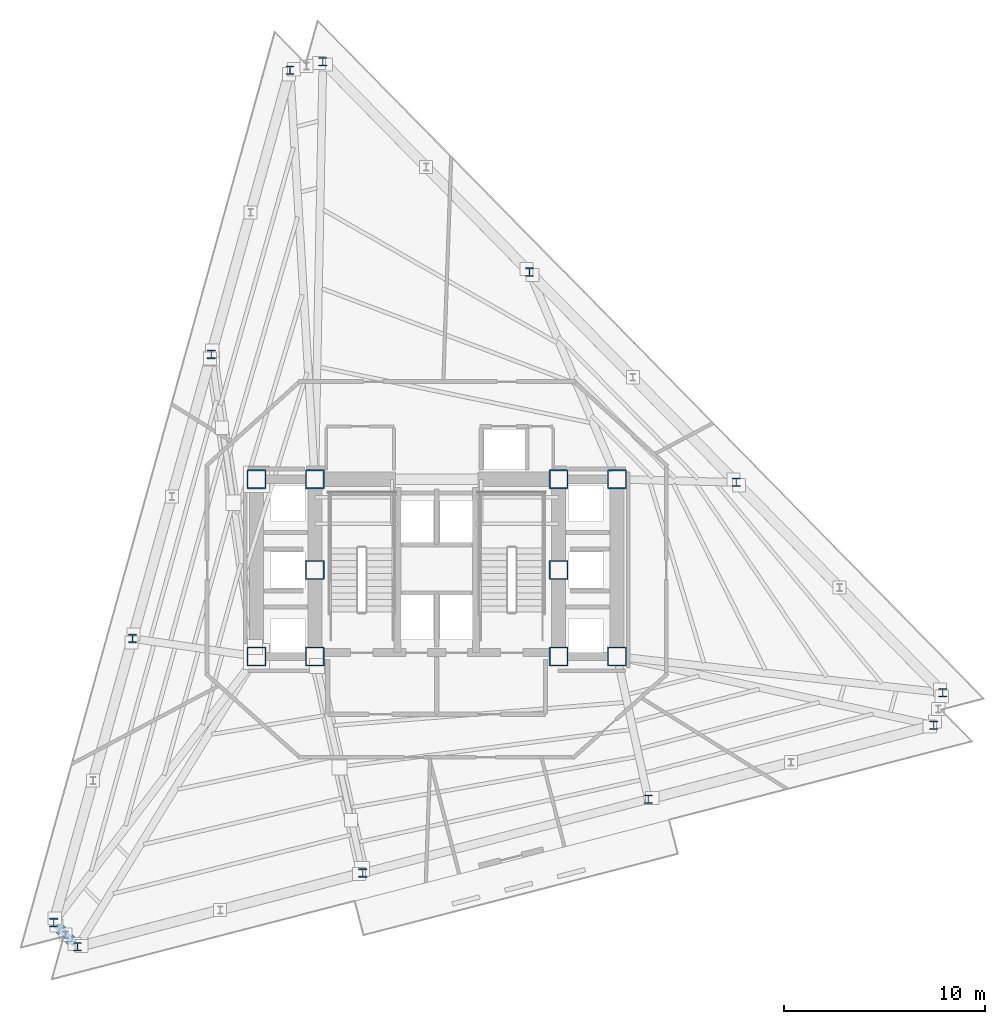
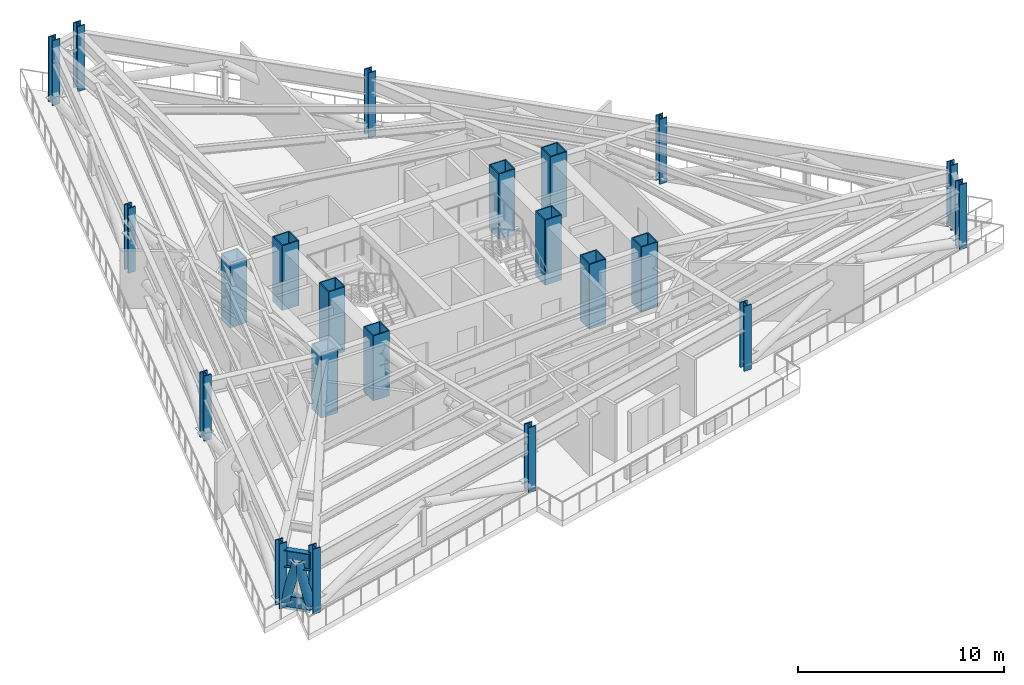
# One storey, part 1 of 11: 22 columns, 3 members, 1 beam.
"""IFC4 building model written with IfcOpenShell, lengths in metres."""

from ifc_helpers import new_model, si_unit, direction, frame, origin, origin_2d, place, context, subcontext, project, spatial, hollow_rectangle, hollow_circle, i_section, extrude, material, material_profile, profile_set, type_object, element, save


model = new_model("IFC4")

# Units and contexts
model_context = context("Model", 3, precision=1e-05, world=origin(), true_north=direction((0.0, 1.0)))
body_context = subcontext(model_context, "Body", "Model", "MODEL_VIEW")
ifc_project = project(units=[si_unit("LENGTHUNIT", "METRE"), si_unit("AREAUNIT", "SQUARE_METRE"), si_unit("VOLUMEUNIT", "CUBIC_METRE"), si_unit("PLANEANGLEUNIT", "RADIAN"), si_unit("MASSUNIT", "GRAM", prefix="KILO")], contexts=[model_context])

# Site, building, storey
site_placement = place(None, origin())
site = spatial("IfcSite", under=ifc_project, at=site_placement, CompositionType="ELEMENT")
building_placement = place(site_placement, origin())
building = spatial("IfcBuilding", under=site, at=building_placement, Name="Rocaltana Carrier Exchange", CompositionType="ELEMENT")
storey_placement = place(building_placement, frame((0.0, 0.0, 100.800048828125)))
storey = spatial("IfcBuildingStorey", under=building, at=storey_placement, Name="L31", CompositionType="ELEMENT", Elevation=100.800048828125)

# Columns
ifc_material_1 = material(Name="Steel S460", Category="steel")
ifc_material_profile_1 = material_profile(ifc_material_1, hollow_rectangle(XDim=0.949951171875, YDim=0.949951171875, WallThickness=0.06005859375, InnerFilletRadius=0.02001953125, OuterFilletRadius=0.0400390625, at=origin_2d()), Name="BOX950X950X60")
ifc_profile_set_1 = profile_set([ifc_material_profile_1], Name="Steel S460")
column_type_1 = type_object("IfcColumnType", Name="Core Mega-Column BOX950", PredefinedType="COLUMN", material=ifc_profile_set_1)
for number, where, z_axis, x_axis, name in (
    (1, (-6.050048828125, 4.5, 0.0), (0.0, 0.0, 1.0), (1.0, 0.0, 0.0), "L31 Core Mega-Column MC1"),
    (2, (6.050048828125, 4.5, 0.0), (0.0, 0.0, 1.0), (1.0, 0.0, 0.0), "L31 Core Mega-Column MC2"),
    (3, (-6.050048828125, 0.0, 0.0), (0.0, 0.0, 1.0), (1.0, 0.0, 0.0), "L31 Core Mega-Column MC3"),
    (4, (6.050048828125, 0.0, 0.0), (0.0, 0.0, 1.0), (1.0, 0.0, 0.0), "L31 Core Mega-Column MC4"),
    (5, (-6.050048828125, -4.300048828125, 0.0), (0.0, 0.0, 1.0), (1.0, 0.0, 0.0), "L31 Core Mega-Column MC5"),
    (6, (6.050048828125, -4.300048828125, 0.0), (0.0, 0.0, 1.0), (1.0, 0.0, 0.0), "L31 Core Mega-Column MC6"),
    (7, (-8.949951171875, 4.5, 0.0), (0.0, 0.0, 1.0), (1.0, 0.0, 0.0), "L31 West Core Column WC1"),
    (8, (-8.949951171875, -4.300048828125, 0.0), (0.0, 0.0, 1.0), (1.0, 0.0, 0.0), "L31 West Core Column WC2"),
    (9, (8.949951171875, 4.5, 0.0), (0.0, 0.0, 1.0), (1.0, 0.0, 0.0), "L31 East Core Column EC1"),
    (10, (8.949951171875, -4.300048828125, 0.0), (0.0, 0.0, 1.0), (1.0, 0.0, 0.0), "L31 East Core Column EC2"),
):
    element("IfcColumn", number, at=place(storey_placement, frame(where, z_axis=z_axis, x_axis=x_axis)), inside=storey, type_object=column_type_1, Name=name, PredefinedType="COLUMN", context=body_context, shape_type="SweptSolid", body=[
        extrude(hollow_rectangle(XDim=0.949951171875, YDim=0.949951171875, WallThickness=0.06005859375, InnerFilletRadius=0.02001953125, OuterFilletRadius=0.0400390625, at=origin_2d()), origin(), (0.0, 0.0, 1.0), 3.83984375),
    ])
ifc_material_2 = material(Name="Steel S460", Category="steel")
ifc_material_profile_2 = material_profile(ifc_material_2, i_section(OverallWidth=0.412109375, OverallDepth=0.43505859375, WebThickness=0.035888671875, FlangeThickness=0.057373046875, FilletRadius=0.02197265625, at=origin_2d()), Name="W14X311")
ifc_profile_set_2 = profile_set([ifc_material_profile_2], Name="Steel S460")
column_type_2 = type_object("IfcColumnType", Name="Perimeter Column W14X311", PredefinedType="COLUMN", material=ifc_profile_set_2)
for number, where, z_axis, x_axis, name in (
    (11, (25.11767578125, -6.091552734375, 0.0), (0.0, 0.0, 1.0), (1.0, 0.0, 0.0), "L31 Perimeter Column TC01"),
    (12, (14.861083984375, 4.345703125, 0.0), (0.0, 0.0, 1.0), (1.0, 0.0, 0.0), "L31 Perimeter Column TC02"),
    (13, (4.6044921875, 14.782958984375, 0.0), (0.0, 0.0, 1.0), (1.0, 0.0, 0.0), "L31 Perimeter Column TC03"),
    (14, (-5.652099609375, 25.22021484375, 0.0), (0.0, 0.0, 1.0), (1.0, 0.0, 0.0), "L31 Perimeter Column TC04"),
    (15, (-7.283447265625, 24.79833984375, 0.0), (0.0, 0.0, 1.0), (1.0, 0.0, 0.0), "L31 Perimeter Column TC05"),
    (16, (-11.194091796875, 10.697265625, 0.0), (0.0, 0.0, 1.0), (1.0, 0.0, 0.0), "L31 Perimeter Column TC06"),
    (17, (-15.1044921875, -3.40380859375, 0.0), (0.0, 0.0, 1.0), (1.0, 0.0, 0.0), "L31 Perimeter Column TC07"),
    (18, (-19.01513671875, -17.505126953125, 0.0), (0.0, 0.0, 1.0), (1.0, 0.0, 0.0), "L31 Perimeter Column TC08"),
    (19, (-17.834228515625, -18.706787109375, 0.0), (0.0, 0.0, 1.0), (1.0, 0.0, 0.0), "L31 Perimeter Column TC09"),
    (20, (-3.6669921875, -15.04296875, 0.0), (0.0, 0.0, 1.0), (1.0, 0.0, 0.0), "L31 Perimeter Column TC10"),
    (21, (10.500244140625, -11.37890625, 0.0), (0.0, 0.0, 1.0), (1.0, 0.0, 0.0), "L31 Perimeter Column TC11"),
    (22, (24.66748046875, -7.715087890625, 0.0), (0.0, 0.0, 1.0), (1.0, 0.0, 0.0), "L31 Perimeter Column TC12"),
):
    element("IfcColumn", number, at=place(storey_placement, frame(where, z_axis=z_axis, x_axis=x_axis)), inside=storey, type_object=column_type_2, Name=name, PredefinedType="COLUMN", context=body_context, shape_type="SweptSolid", body=[
        extrude(i_section(OverallWidth=0.412109375, OverallDepth=0.43505859375, WebThickness=0.035888671875, FlangeThickness=0.057373046875, FilletRadius=0.02197265625, at=origin_2d()), origin(), (0.0, 0.0, 1.0), 3.83984375),
    ])

# Members
ifc_material_3 = material(Name="Steel S460", Category="steel")
ifc_material_profile_3 = material_profile(ifc_material_3, i_section(OverallWidth=0.300048828125, OverallDepth=0.800048828125, WebThickness=0.017578125, FlangeThickness=0.032958984375, FilletRadius=0.030029296875, at=origin_2d()), Name="HEB800")
ifc_profile_set_3 = profile_set([ifc_material_profile_3], Name="Steel S460")
member_type_1 = type_object("IfcMemberType", Name="Belt Truss Chord HEB800", PredefinedType="CHORD", material=ifc_profile_set_3)
member_placement = place(storey_placement, frame((-18.87353515625, -17.649169921875, 0.349853515625), z_axis=(0.700884715116, -0.71327457274, 0.0), x_axis=(0.71327457274, 0.700884715116, 0.0)))
element("IfcMember", 23, at=member_placement, inside=storey, type_object=member_type_1, Name="L31 Belt Truss Bottom Chord 8", PredefinedType="CHORD", context=body_context, shape_type="SweptSolid", body=[
    extrude(i_section(OverallWidth=0.300048828125, OverallDepth=0.800048828125, WebThickness=0.017578125, FlangeThickness=0.032958984375, FilletRadius=0.030029296875, at=origin_2d()), origin(), (0.0, 0.0, 1.0), 1.28076171875),
])
ifc_material_4 = material(Name="Steel S460", Category="steel")
ifc_material_profile_4 = material_profile(ifc_material_4, hollow_circle(Radius=0.25390625, WallThickness=0.02001953125, at=origin_2d()), Name="CHS508X20")
ifc_profile_set_4 = profile_set([ifc_material_profile_4], Name="Steel S460")
member_type_2 = type_object("IfcMemberType", Name="Belt Truss Diagonal CHS508", PredefinedType="BRACE", material=ifc_profile_set_4)
for number, where, z_axis, x_axis, name in (
    (24, (-18.87353515625, -17.649169921875, 0.349853515625), (0.174663570707, -0.177799532532, 0.968442028879), (0.713369870844, 0.700787719193, 0.0), "L31 Belt Truss Diagonal 8A"),
    (25, (-18.4248046875, -18.10595703125, 2.837890625), (0.174755698471, -0.177796580663, -0.96842595058), (0.713179286912, 0.700981672171, 0.0), "L31 Belt Truss Diagonal 8B"),
):
    element("IfcMember", number, at=place(storey_placement, frame(where, z_axis=z_axis, x_axis=x_axis)), inside=storey, type_object=member_type_2, Name=name, PredefinedType="BRACE", context=body_context, shape_type="SweptSolid", body=[
        extrude(hollow_circle(Radius=0.25390625, WallThickness=0.02001953125, at=origin_2d()), origin(), (0.0, 0.0, 1.0), 2.569091796875),
    ])

# Beam
ifc_material_5 = material(Name="Steel S460", Category="steel")
ifc_material_profile_5 = material_profile(ifc_material_5, i_section(OverallWidth=0.302001953125, OverallDepth=1.008056640625, WebThickness=0.02099609375, FlangeThickness=0.0400390625, FilletRadius=0.030029296875, at=origin_2d()), Name="HEM1000")
ifc_profile_set_5 = profile_set([ifc_material_profile_5], Name="Steel S460")
beam_type = type_object("IfcBeamType", Name="Transfer Ring Girder HEM1000", PredefinedType="USERDEFINED", material=ifc_profile_set_5)
beam_placement = place(storey_placement, frame((-18.87646484375, -17.646240234375, 2.9140625), z_axis=(0.700924882604, -0.713235100753, 0.0), x_axis=(0.713235100753, 0.700924882604, 0.0)))
element("IfcBeam", 26, at=beam_placement, inside=storey, type_object=beam_type, Name="SP-L31-08", ObjectType="TRANSFER GIRDER", PredefinedType="USERDEFINED", context=body_context, shape_type="SweptSolid", body=[
    extrude(i_section(OverallWidth=0.302001953125, OverallDepth=1.008056640625, WebThickness=0.02099609375, FlangeThickness=0.0400390625, FilletRadius=0.030029296875, at=origin_2d()), origin(), (0.0, 0.0, 1.0), 1.2890625),
])

save(model, "model.ifc")
